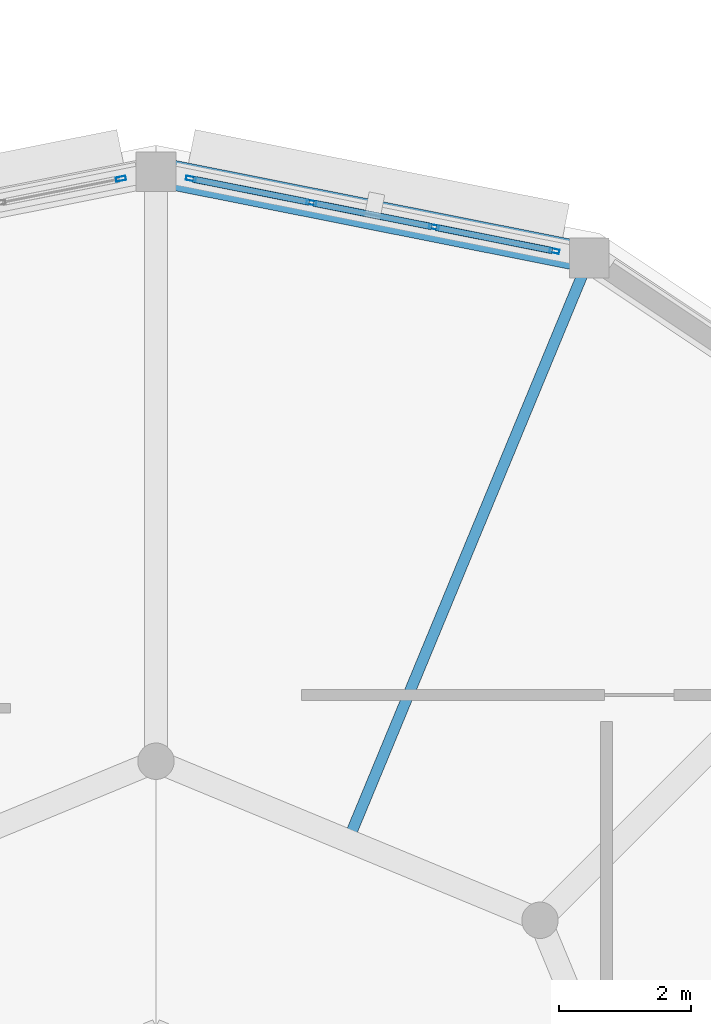
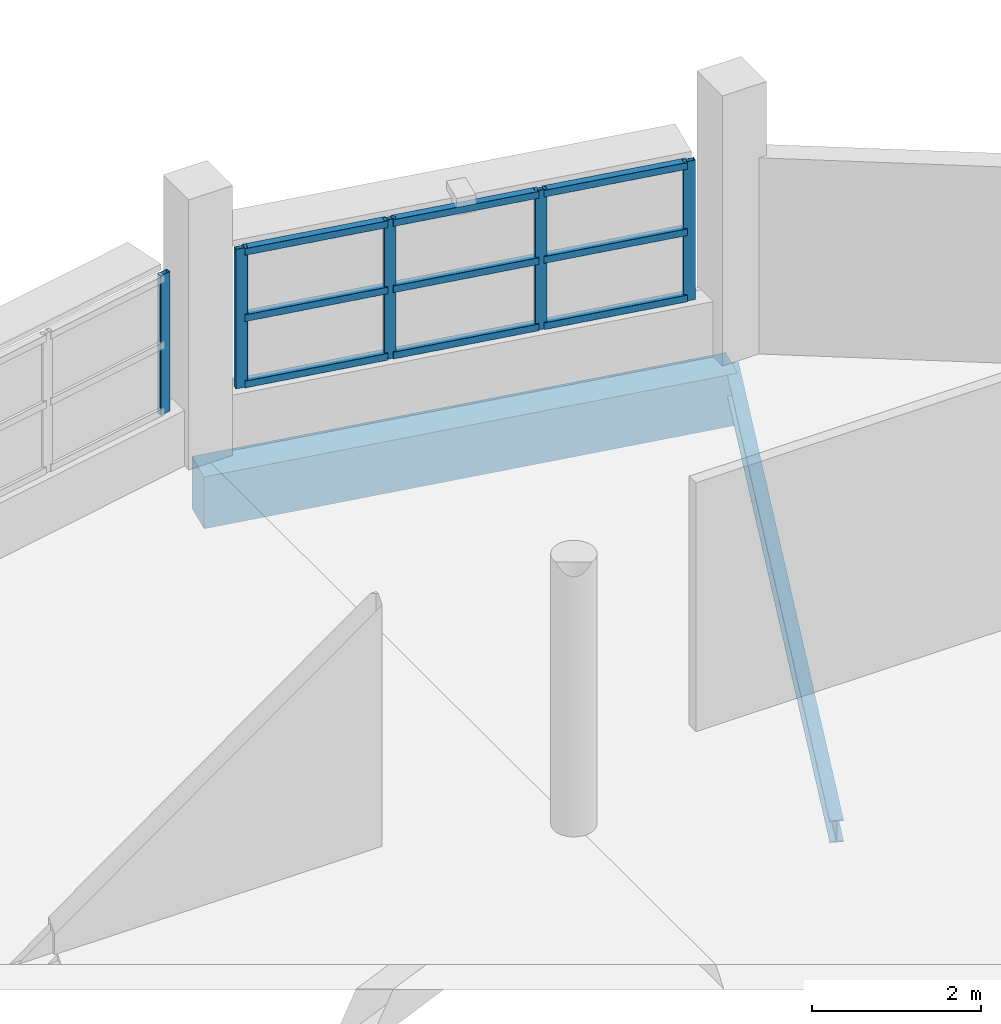
# One storey, part 79 of 121: 14 members, 2 beams, 2 elements without a shape of their own.
"""IFC4 building model written with IfcOpenShell, lengths in metres."""

from ifc_helpers import new_model, si_unit, direction, frame, origin, origin_2d, place, context, subcontext, project, spatial, rectangle, hollow_rectangle, i_section, extrude, material, layer, layer_set, material_profile, profile_set, type_object, element, aggregate, save


model = new_model("IFC4")

# Units and contexts
model_context = context("Model", 3, precision=1e-05, world=origin(), true_north=direction((0.0, 1.0)))
body_context = subcontext(model_context, "Body", "Model", "MODEL_VIEW")
ifc_project = project(units=[si_unit("LENGTHUNIT", "METRE"), si_unit("AREAUNIT", "SQUARE_METRE"), si_unit("VOLUMEUNIT", "CUBIC_METRE"), si_unit("PLANEANGLEUNIT", "RADIAN"), si_unit("MASSUNIT", "GRAM", prefix="KILO")], contexts=[model_context])

# Site, building, storey
site_placement = place(None, origin())
site = spatial("IfcSite", under=ifc_project, at=site_placement, CompositionType="ELEMENT")
building_placement = place(site_placement, origin())
building = spatial("IfcBuilding", under=site, at=building_placement, Name="Vespera Passage Community Centre", CompositionType="ELEMENT")
storey_placement = place(building_placement, frame((0.0, 0.0, 8.699951171875)))
storey = spatial("IfcBuildingStorey", under=building, at=storey_placement, Name="L02", CompositionType="ELEMENT", Elevation=8.699951171875)

# Beams
ifc_material_1 = material(Name="Steel ASTM A992 Grade 50", Category="steel")
ifc_material_profile_1 = material_profile(ifc_material_1, i_section(OverallWidth=0.16650390625, OverallDepth=0.3173828125, WebThickness=0.007568359375, FlangeThickness=0.01318359375, FilletRadius=0.007568359375, at=origin_2d()), Name="W12X35")
ifc_profile_set_1 = profile_set([ifc_material_profile_1], Name="Steel ASTM A992 Grade 50")
beam_type_1 = type_object("IfcBeamType", Name="BM-J-W12X35", PredefinedType="JOIST", material=ifc_profile_set_1)
beam_1_placement = place(storey_placement, frame((143.899169921875, 31.999267578125, -0.398681640625), z_axis=(0.382690630849, 0.923876550769, 0.0), x_axis=(-0.923876550769, 0.382690630849, 0.0)))
element("IfcBeam", 1, at=beam_1_placement, inside=storey, type_object=beam_type_1, Name="V3 L02 Secondary Joist 2", PredefinedType="JOIST", context=body_context, shape_type="SweptSolid", body=[
    extrude(i_section(OverallWidth=0.16650390625, OverallDepth=0.3173828125, WebThickness=0.007568359375, FlangeThickness=0.01318359375, FilletRadius=0.007568359375, at=origin_2d()), origin(), (0.0, 0.0, 1.0), 9.524169921875),
])
ifc_material_2 = material(Name="Concrete f'c 35 MPa", Category="concrete")
ifc_material_profile_2 = material_profile(ifc_material_2, rectangle(XDim=0.449951171875, YDim=0.75, at=origin_2d()), Name="RC450X750")
ifc_profile_set_2 = profile_set([ifc_material_profile_2], Name="Concrete f'c 35 MPa")
beam_type_2 = type_object("IfcBeamType", Name="BM-SP-450X750E", PredefinedType="SPANDREL", material=ifc_profile_set_2)
beam_2_placement = place(storey_placement, frame((147.5439453125, 40.79833984375, -0.614990234375), z_axis=(-0.980782809509, 0.195102743632, 0.0), x_axis=(-0.195102743632, -0.980782809509, 0.0)))
element("IfcBeam", 2, at=beam_2_placement, inside=storey, type_object=beam_type_2, Name="V3 L02 Spandrel 4", PredefinedType="SPANDREL", context=body_context, shape_type="SweptSolid", body=[
    extrude(rectangle(XDim=0.449951171875, YDim=0.75, at=origin_2d()), origin(), (0.0, 0.0, 1.0), 6.672119140625),
])

# Curtain wall, members
ifc_material_3 = material(Name="Anodized aluminium 6063-T6", Category="aluminium")
ifc_layer = layer(ifc_material_3, 0.159912109375)
ifc_layer_set = layer_set([ifc_layer], Name="Anodized aluminium 6063-T6")
curtain_wall_type = type_object("IfcCurtainWallType", Name="CW-108E", PredefinedType="NOTDEFINED", material=ifc_layer_set)
curtain_wall_1_placement = place(storey_placement, origin())
curtain_wall_1 = element("IfcCurtainWall", 3, at=curtain_wall_1_placement, inside=storey, type_object=curtain_wall_type, Name="Dining Drum Ribbon Curtain Wall L02.4", PredefinedType="NOTDEFINED")
ifc_material_4 = material(Name="Anodized aluminium 6063-T6", Category="aluminium")
ifc_material_profile_3 = material_profile(ifc_material_4, hollow_rectangle(XDim=0.06494140625, YDim=0.14990234375, WallThickness=0.00390625, InnerFilletRadius=0.001953125, OuterFilletRadius=0.00390625, at=origin_2d()), Name="ALU150X65X4")
ifc_profile_set_3 = profile_set([ifc_material_profile_3], Name="Anodized aluminium 6063-T6")
member_type_1 = type_object("IfcMemberType", Name="MB-CWM-150E", PredefinedType="MULLION", material=ifc_profile_set_3)
member_1_placement = place(storey_placement, frame((141.528076171875, 41.994873046875, 0.800048828125), z_axis=(0.0, 0.0, 1.0), x_axis=(0.195096778691, 0.980783996069, 0.0)))
member_1 = element("IfcMember", 4, at=member_1_placement, type_object=member_type_1, Name="CW-108E mullion 1", PredefinedType="MULLION", context=body_context, shape_type="SweptSolid", body=[
    extrude(hollow_rectangle(XDim=0.06494140625, YDim=0.14990234375, WallThickness=0.00390625, InnerFilletRadius=0.001953125, OuterFilletRadius=0.00390625, at=origin_2d()), origin(), (0.0, 0.0, 1.0), 2.014892578125),
])
member_2_placement = place(storey_placement, frame((143.3466796875, 41.63330078125, 0.800048828125), z_axis=(0.0, 0.0, 1.0), x_axis=(0.195096778691, 0.980783996069, 0.0)))
member_2 = element("IfcMember", 5, at=member_2_placement, type_object=member_type_1, Name="CW-108E mullion 2", PredefinedType="MULLION", context=body_context, shape_type="SweptSolid", body=[
    extrude(hollow_rectangle(XDim=0.06494140625, YDim=0.14990234375, WallThickness=0.00390625, InnerFilletRadius=0.001953125, OuterFilletRadius=0.00390625, at=origin_2d()), origin(), (0.0, 0.0, 1.0), 2.014892578125),
])
member_3_placement = place(storey_placement, frame((145.197265625, 41.26513671875, 0.800048828125), z_axis=(0.0, 0.0, 1.0), x_axis=(0.195096778691, 0.980783996069, 0.0)))
member_3 = element("IfcMember", 6, at=member_3_placement, type_object=member_type_1, Name="CW-108E mullion 3", PredefinedType="MULLION", context=body_context, shape_type="SweptSolid", body=[
    extrude(hollow_rectangle(XDim=0.06494140625, YDim=0.14990234375, WallThickness=0.00390625, InnerFilletRadius=0.001953125, OuterFilletRadius=0.00390625, at=origin_2d()), origin(), (0.0, 0.0, 1.0), 2.014892578125),
])
member_4_placement = place(storey_placement, frame((147.015869140625, 40.9033203125, 0.800048828125), z_axis=(0.0, 0.0, 1.0), x_axis=(0.195096778691, 0.980783996069, 0.0)))
member_4 = element("IfcMember", 7, at=member_4_placement, type_object=member_type_1, Name="CW-108E mullion 4", PredefinedType="MULLION", context=body_context, shape_type="SweptSolid", body=[
    extrude(hollow_rectangle(XDim=0.06494140625, YDim=0.14990234375, WallThickness=0.00390625, InnerFilletRadius=0.001953125, OuterFilletRadius=0.00390625, at=origin_2d()), origin(), (0.0, 0.0, 1.0), 2.014892578125),
])

# Curtain wall, member
curtain_wall_2_placement = place(storey_placement, origin())
curtain_wall_2 = element("IfcCurtainWall", 8, at=curtain_wall_2_placement, inside=storey, type_object=curtain_wall_type, Name="Dining Drum Ribbon Curtain Wall L02.5", PredefinedType="NOTDEFINED")
member_5_placement = place(storey_placement, frame((140.471923828125, 41.994873046875, 0.800048828125), z_axis=(0.0, 0.0, 1.0), x_axis=(-0.195096778691, 0.980783996069, 0.0)))
member_5 = element("IfcMember", 9, at=member_5_placement, type_object=member_type_1, Name="CW-108E mullion 4", PredefinedType="MULLION", context=body_context, shape_type="SweptSolid", body=[
    extrude(hollow_rectangle(XDim=0.06494140625, YDim=0.14990234375, WallThickness=0.00390625, InnerFilletRadius=0.001953125, OuterFilletRadius=0.00390625, at=origin_2d()), origin(), (0.0, 0.0, 1.0), 2.014892578125),
])
aggregate(curtain_wall_2, [member_5])

# Member
ifc_material_5 = material(Name="Anodized aluminium 6063-T6", Category="aluminium")
ifc_material_profile_4 = material_profile(ifc_material_5, hollow_rectangle(XDim=0.10009765625, YDim=0.10009765625, WallThickness=0.00390625, InnerFilletRadius=0.001953125, OuterFilletRadius=0.00390625, at=origin_2d()), Name="ALU100X100X4")
ifc_profile_set_4 = profile_set([ifc_material_profile_4], Name="Anodized aluminium 6063-T6")
member_type_2 = type_object("IfcMemberType", Name="MB-CWT-100E", PredefinedType="USERDEFINED", material=ifc_profile_set_4)
member_6_placement = place(storey_placement, frame((141.56005859375, 41.988525390625, 0.85009765625), z_axis=(0.980805694528, -0.194987665203, 0.0), x_axis=(0.194987665203, 0.980805694528, 0.0)))
member_6 = element("IfcMember", 10, at=member_6_placement, type_object=member_type_2, Name="CW-108E transom 1.1", ObjectType="TRANSOM", PredefinedType="USERDEFINED", context=body_context, shape_type="SweptSolid", body=[
    extrude(hollow_rectangle(XDim=0.10009765625, YDim=0.10009765625, WallThickness=0.00390625, InnerFilletRadius=0.001953125, OuterFilletRadius=0.00390625, at=origin_2d()), origin(), (0.0, 0.0, 1.0), 1.789306640625),
])

member_7_placement = place(storey_placement, frame((141.56005859375, 41.988525390625, 1.8076171875), z_axis=(0.980805694528, -0.194987665203, 0.0), x_axis=(0.194987665203, 0.980805694528, 0.0)))
member_7 = element("IfcMember", 11, at=member_7_placement, type_object=member_type_2, Name="CW-108E transom 1.2", ObjectType="TRANSOM", PredefinedType="USERDEFINED", context=body_context, shape_type="SweptSolid", body=[
    extrude(hollow_rectangle(XDim=0.10009765625, YDim=0.10009765625, WallThickness=0.00390625, InnerFilletRadius=0.001953125, OuterFilletRadius=0.00390625, at=origin_2d()), origin(), (0.0, 0.0, 1.0), 1.789306640625),
])

member_8_placement = place(storey_placement, frame((141.56005859375, 41.988525390625, 2.76513671875), z_axis=(0.980805694528, -0.194987665203, 0.0), x_axis=(0.194987665203, 0.980805694528, 0.0)))
member_8 = element("IfcMember", 12, at=member_8_placement, type_object=member_type_2, Name="CW-108E transom 1.3", ObjectType="TRANSOM", PredefinedType="USERDEFINED", context=body_context, shape_type="SweptSolid", body=[
    extrude(hollow_rectangle(XDim=0.10009765625, YDim=0.10009765625, WallThickness=0.00390625, InnerFilletRadius=0.001953125, OuterFilletRadius=0.00390625, at=origin_2d()), origin(), (0.0, 0.0, 1.0), 1.789306640625),
])

member_9_placement = place(storey_placement, frame((143.378662109375, 41.626953125, 0.85009765625), z_axis=(0.980776065507, -0.195136642714, 0.0), x_axis=(0.195136642714, 0.980776065507, 0.0)))
member_9 = element("IfcMember", 13, at=member_9_placement, type_object=member_type_2, Name="CW-108E transom 2.1", ObjectType="TRANSOM", PredefinedType="USERDEFINED", context=body_context, shape_type="SweptSolid", body=[
    extrude(hollow_rectangle(XDim=0.10009765625, YDim=0.10009765625, WallThickness=0.00390625, InnerFilletRadius=0.001953125, OuterFilletRadius=0.00390625, at=origin_2d()), origin(), (0.0, 0.0, 1.0), 1.821533203125),
])

member_10_placement = place(storey_placement, frame((143.378662109375, 41.626953125, 1.8076171875), z_axis=(0.980776065507, -0.195136642714, 0.0), x_axis=(0.195136642714, 0.980776065507, 0.0)))
member_10 = element("IfcMember", 14, at=member_10_placement, type_object=member_type_2, Name="CW-108E transom 2.2", ObjectType="TRANSOM", PredefinedType="USERDEFINED", context=body_context, shape_type="SweptSolid", body=[
    extrude(hollow_rectangle(XDim=0.10009765625, YDim=0.10009765625, WallThickness=0.00390625, InnerFilletRadius=0.001953125, OuterFilletRadius=0.00390625, at=origin_2d()), origin(), (0.0, 0.0, 1.0), 1.821533203125),
])

member_11_placement = place(storey_placement, frame((143.378662109375, 41.626953125, 2.76513671875), z_axis=(0.980776065507, -0.195136642714, 0.0), x_axis=(0.195136642714, 0.980776065507, 0.0)))
member_11 = element("IfcMember", 15, at=member_11_placement, type_object=member_type_2, Name="CW-108E transom 2.3", ObjectType="TRANSOM", PredefinedType="USERDEFINED", context=body_context, shape_type="SweptSolid", body=[
    extrude(hollow_rectangle(XDim=0.10009765625, YDim=0.10009765625, WallThickness=0.00390625, InnerFilletRadius=0.001953125, OuterFilletRadius=0.00390625, at=origin_2d()), origin(), (0.0, 0.0, 1.0), 1.821533203125),
])

member_12_placement = place(storey_placement, frame((145.22900390625, 41.2587890625, 0.85009765625), z_axis=(0.980779590975, -0.195118922523, 0.0), x_axis=(0.195118922523, 0.980779590975, 0.0)))
member_12 = element("IfcMember", 16, at=member_12_placement, type_object=member_type_2, Name="CW-108E transom 3.1", ObjectType="TRANSOM", PredefinedType="USERDEFINED", context=body_context, shape_type="SweptSolid", body=[
    extrude(hollow_rectangle(XDim=0.10009765625, YDim=0.10009765625, WallThickness=0.00390625, InnerFilletRadius=0.001953125, OuterFilletRadius=0.00390625, at=origin_2d()), origin(), (0.0, 0.0, 1.0), 1.789306640625),
])

member_13_placement = place(storey_placement, frame((145.22900390625, 41.2587890625, 1.8076171875), z_axis=(0.980779590975, -0.195118922523, 0.0), x_axis=(0.195118922523, 0.980779590975, 0.0)))
member_13 = element("IfcMember", 17, at=member_13_placement, type_object=member_type_2, Name="CW-108E transom 3.2", ObjectType="TRANSOM", PredefinedType="USERDEFINED", context=body_context, shape_type="SweptSolid", body=[
    extrude(hollow_rectangle(XDim=0.10009765625, YDim=0.10009765625, WallThickness=0.00390625, InnerFilletRadius=0.001953125, OuterFilletRadius=0.00390625, at=origin_2d()), origin(), (0.0, 0.0, 1.0), 1.789306640625),
])

member_14_placement = place(storey_placement, frame((145.22900390625, 41.2587890625, 2.76513671875), z_axis=(0.980779590975, -0.195118922523, 0.0), x_axis=(0.195118922523, 0.980779590975, 0.0)))
member_14 = element("IfcMember", 18, at=member_14_placement, type_object=member_type_2, Name="CW-108E transom 3.3", ObjectType="TRANSOM", PredefinedType="USERDEFINED", context=body_context, shape_type="SweptSolid", body=[
    extrude(hollow_rectangle(XDim=0.10009765625, YDim=0.10009765625, WallThickness=0.00390625, InnerFilletRadius=0.001953125, OuterFilletRadius=0.00390625, at=origin_2d()), origin(), (0.0, 0.0, 1.0), 1.789306640625),
])

aggregate(curtain_wall_1, [member_1, member_2, member_3, member_4, member_6, member_7, member_8, member_9, member_10, member_11, member_12, member_13, member_14])

save(model, "model.ifc")
